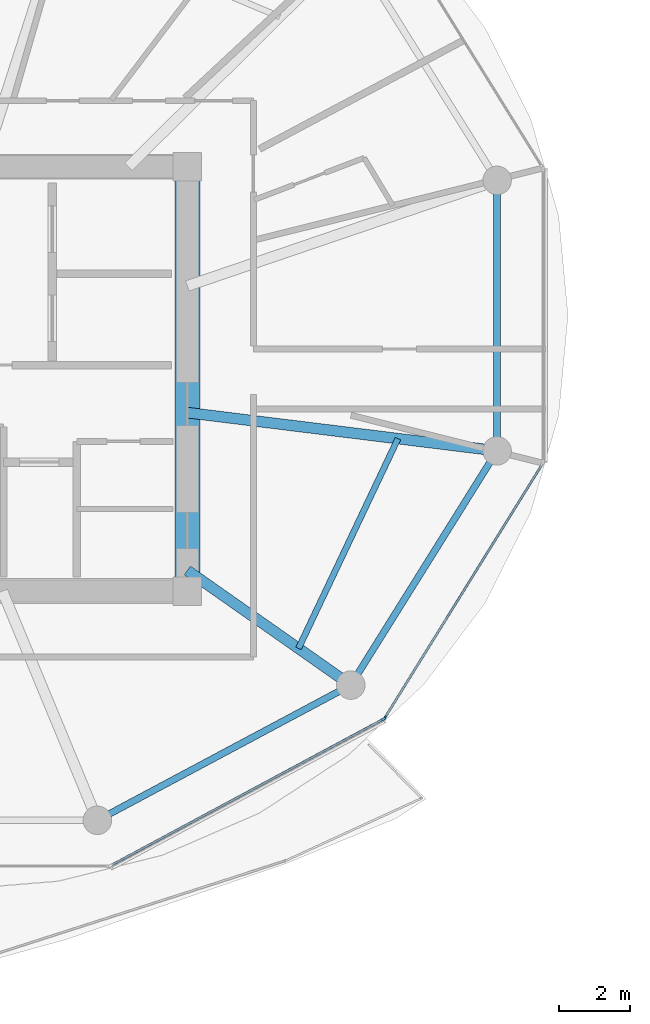
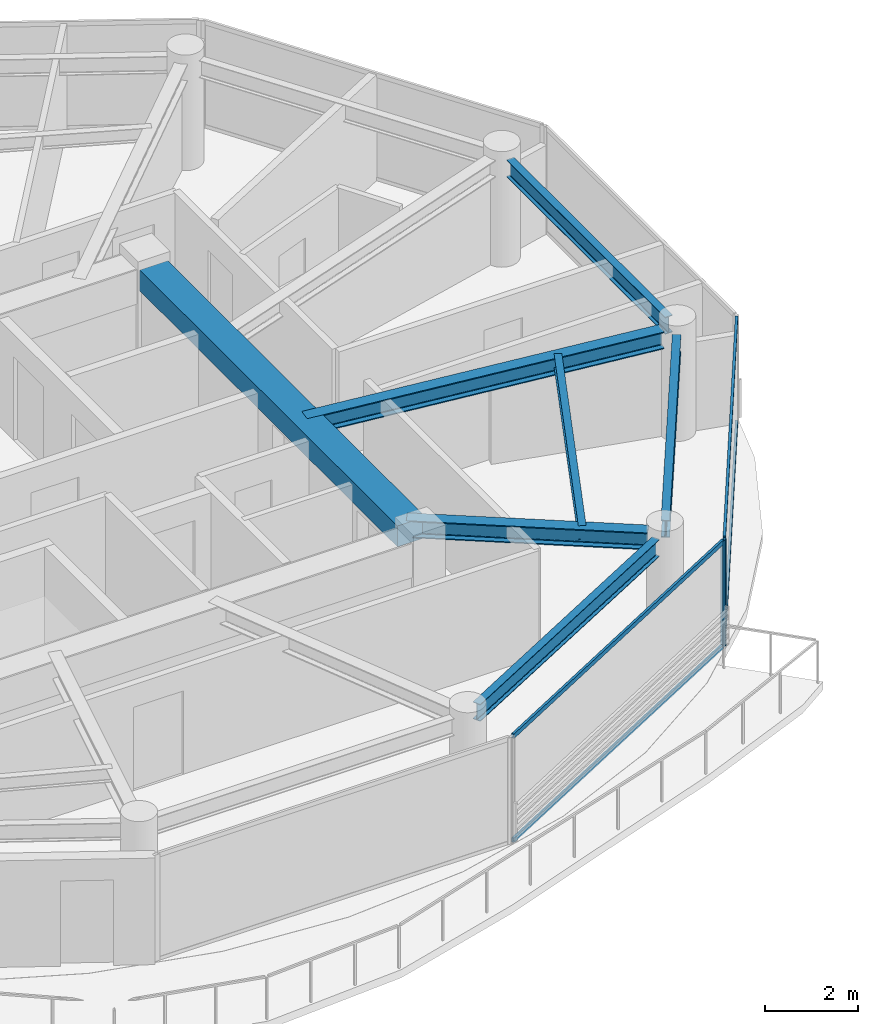
# One storey, part 3 of 22: 7 beams, 6 members, 2 elements without a shape of their own.
"""IFC4 building model written with IfcOpenShell, lengths in metres."""

from ifc_helpers import new_model, si_unit, direction, frame, origin, origin_2d, place, context, subcontext, project, spatial, rectangle, i_section, extrude, source, transform, mapped, material, layer, layer_set, material_profile, profile_set, type_object, type_shapes, element, aggregate, save


model = new_model("IFC4")

# Units and contexts
model_context = context("Model", 3, precision=1e-05, world=origin(), true_north=direction((0.0, 1.0)))
body_context = subcontext(model_context, "Body", "Model", "MODEL_VIEW")
ifc_project = project(units=[si_unit("LENGTHUNIT", "METRE"), si_unit("AREAUNIT", "SQUARE_METRE"), si_unit("VOLUMEUNIT", "CUBIC_METRE"), si_unit("PLANEANGLEUNIT", "RADIAN"), si_unit("MASSUNIT", "GRAM", prefix="KILO")], contexts=[model_context])

# Site, building, storey
site_placement = place(None, origin())
site = spatial("IfcSite", under=ifc_project, at=site_placement, CompositionType="ELEMENT")
building_placement = place(site_placement, origin())
building = spatial("IfcBuilding", under=site, at=building_placement, Name="Norrkilde Senior Care Towers", CompositionType="ELEMENT")
storey_placement = place(building_placement, frame((0.0, 0.0, 170.89990234375)))
storey = spatial("IfcBuildingStorey", under=building, at=storey_placement, Name="L53", CompositionType="ELEMENT", Elevation=170.89990234375)

# Beams
ifc_material_1 = material(Name="Concrete C60/75", Category="concrete")
ifc_material_profile_1 = material_profile(ifc_material_1, rectangle(XDim=0.699951171875, YDim=0.550048828125, at=origin_2d()), Name="RC BM 700x550")
ifc_profile_set_1 = profile_set([ifc_material_profile_1], Name="Concrete C60/75")
beam_type_1 = type_object("IfcBeamType", Name="Core Portal Coupling Beam 700x550", PredefinedType="USERDEFINED", material=ifc_profile_set_1)
shared_shape_1 = source(origin(), body_context, "Body", "SweptSolid", [
    extrude(rectangle(XDim=0.699951171875, YDim=0.550048828125, at=origin_2d()), origin(), (0.0, 0.0, 1.0), 11.14013671875),
])
type_shapes(beam_type_1, [shared_shape_1])
beam_1_placement = place(storey_placement, frame((-20.35009765625, -5.570068359375, 2.53515625), z_axis=(0.0, 1.0, 0.0), x_axis=(-1.0, 0.0, 0.0)))
element("IfcBeam", 1, at=beam_1_placement, inside=storey, type_object=beam_type_1, Name="L53 Core W E Coupling Girder", ObjectType="GIRDER", PredefinedType="USERDEFINED", context=body_context, shape_type="MappedRepresentation", body=[
    mapped(shared_shape_1, transform((0.0, 0.0, 0.0), x_axis=(1.0, 0.0, 0.0), y_axis=(0.0, 1.0, 0.0), z_axis=(0.0, 0.0, 1.0), scale=1.0)),
])
ifc_material_2 = material(Name="Steel S355", Category="steel")
ifc_material_profile_2 = material_profile(ifc_material_2, i_section(OverallWidth=0.18994140625, OverallDepth=0.449951171875, WebThickness=0.009521484375, FlangeThickness=0.0146484375, FilletRadius=0.02099609375, at=origin_2d()), Name="IPE 450")
ifc_profile_set_2 = profile_set([ifc_material_profile_2], Name="Steel S355")
beam_type_2 = type_object("IfcBeamType", Name="Perimeter Ring Spandrel Z3 IPE450", PredefinedType="SPANDREL", material=ifc_profile_set_2)
shared_shape_2 = source(origin(), body_context, "Body", "SweptSolid", [
    extrude(i_section(OverallWidth=0.18994140625, OverallDepth=0.449951171875, WebThickness=0.009521484375, FlangeThickness=0.0146484375, FilletRadius=0.02099609375, at=origin_2d()), origin(), (0.0, 0.0, 1.0), 6.86328125),
])
beam_2_placement = place(storey_placement, frame((-11.6650390625, -1.65625, 2.585205078125), z_axis=(0.0, 1.0, 0.0), x_axis=(-1.0, 0.0, 0.0)))
element("IfcBeam", 2, at=beam_2_placement, inside=storey, type_object=beam_type_2, Name="L53 Drum W Perimeter Spandrel 12", PredefinedType="SPANDREL", context=body_context, shape_type="MappedRepresentation", body=[
    mapped(shared_shape_2, transform((0.0, 0.0, 0.0), x_axis=(1.0, 0.0, 0.0), y_axis=(0.0, 1.0, 0.0), z_axis=(0.0, 0.0, 1.0), scale=1.0)),
])
shared_shape_3 = source(origin(), body_context, "Body", "SweptSolid", [
    extrude(i_section(OverallWidth=0.18994140625, OverallDepth=0.449951171875, WebThickness=0.009521484375, FlangeThickness=0.0146484375, FilletRadius=0.02099609375, at=origin_2d()), origin(), (0.0, 0.0, 1.0), 7.023193359375),
])
beam_3_placement = place(storey_placement, frame((-15.57666015625, -8.2783203125, 2.585205078125), z_axis=(0.529805197269, 0.848119362441, 0.0), x_axis=(-0.848119362441, 0.529805197269, 0.0)))
element("IfcBeam", 3, at=beam_3_placement, inside=storey, type_object=beam_type_2, Name="L53 Drum W Perimeter Spandrel 11", PredefinedType="SPANDREL", context=body_context, shape_type="MappedRepresentation", body=[
    mapped(shared_shape_3, transform((0.0, 0.0, 0.0), x_axis=(1.0, 0.0, 0.0), y_axis=(0.0, 1.0, 0.0), z_axis=(0.0, 0.0, 1.0), scale=1.0)),
])
shared_shape_4 = source(origin(), body_context, "Body", "SweptSolid", [
    extrude(i_section(OverallWidth=0.18994140625, OverallDepth=0.449951171875, WebThickness=0.009521484375, FlangeThickness=0.0146484375, FilletRadius=0.02099609375, at=origin_2d()), origin(), (0.0, 0.0, 1.0), 7.333984375),
])
type_shapes(beam_type_2, [shared_shape_2, shared_shape_3, shared_shape_4])
beam_4_placement = place(storey_placement, frame((-22.55517578125, -12.2060546875, 2.585205078125), z_axis=(0.882234038987, 0.470811109101, 0.0), x_axis=(-0.470811109101, 0.882234038987, 0.0)))
element("IfcBeam", 4, at=beam_4_placement, inside=storey, type_object=beam_type_2, Name="L53 Drum W Perimeter Spandrel 10", PredefinedType="SPANDREL", context=body_context, shape_type="MappedRepresentation", body=[
    mapped(shared_shape_4, transform((0.0, 0.0, 0.0), x_axis=(1.0, 0.0, 0.0), y_axis=(0.0, 1.0, 0.0), z_axis=(0.0, 0.0, 1.0), scale=1.0)),
])
ifc_material_profile_3 = material_profile(ifc_material_2, i_section(OverallWidth=0.300048828125, OverallDepth=0.449951171875, WebThickness=0.013916015625, FlangeThickness=0.02587890625, FilletRadius=0.027099609375, at=origin_2d()), Name="HEB 450")
ifc_profile_set_3 = profile_set([ifc_material_profile_3], Name="Steel S355")
beam_type_3 = type_object("IfcBeamType", Name="Radial Floor Beam Z3 HEB450", PredefinedType="BEAM", material=ifc_profile_set_3)
shared_shape_5 = source(origin(), body_context, "Body", "SweptSolid", [
    extrude(i_section(OverallWidth=0.300048828125, OverallDepth=0.449951171875, WebThickness=0.013916015625, FlangeThickness=0.02587890625, FilletRadius=0.027099609375, at=origin_2d()), origin(), (0.0, 0.0, 1.0), 5.23828125),
])
beam_5_placement = place(storey_placement, frame((-20.35009765625, -5.3681640625, 2.585205078125), z_axis=(0.818592061291, -0.574375345215, 0.0), x_axis=(0.574375345215, 0.818592061291, 0.0)))
element("IfcBeam", 5, at=beam_5_placement, inside=storey, type_object=beam_type_3, Name="L53 Drum W Radial Floor Beam 11", PredefinedType="BEAM", context=body_context, shape_type="MappedRepresentation", body=[
    mapped(shared_shape_5, transform((0.0, 0.0, 0.0), x_axis=(1.0, 0.0, 0.0), y_axis=(0.0, 1.0, 0.0), z_axis=(0.0, 0.0, 1.0), scale=1.0)),
])
shared_shape_6 = source(origin(), body_context, "Body", "SweptSolid", [
    extrude(i_section(OverallWidth=0.300048828125, OverallDepth=0.449951171875, WebThickness=0.013916015625, FlangeThickness=0.02587890625, FilletRadius=0.027099609375, at=origin_2d()), origin(), (0.0, 0.0, 1.0), 8.390869140625),
])
type_shapes(beam_type_3, [shared_shape_5, shared_shape_6])
beam_6_placement = place(storey_placement, frame((-20.35009765625, -0.9443359375, 2.585205078125), z_axis=(0.99246916403, -0.122494728249, 0.0), x_axis=(0.122494728249, 0.99246916403, 0.0)))
element("IfcBeam", 6, at=beam_6_placement, inside=storey, type_object=beam_type_3, Name="L53 Drum W Radial Floor Beam 12", PredefinedType="BEAM", context=body_context, shape_type="MappedRepresentation", body=[
    mapped(shared_shape_6, transform((0.0, 0.0, 0.0), x_axis=(1.0, 0.0, 0.0), y_axis=(0.0, 1.0, 0.0), z_axis=(0.0, 0.0, 1.0), scale=1.0)),
])
ifc_material_profile_4 = material_profile(ifc_material_2, i_section(OverallWidth=0.169921875, OverallDepth=0.360107421875, WebThickness=0.008056640625, FlangeThickness=0.0126953125, FilletRadius=0.01806640625, at=origin_2d()), Name="IPE 360")
ifc_profile_set_4 = profile_set([ifc_material_profile_4], Name="Steel S355")
beam_type_4 = type_object("IfcBeamType", Name="Secondary Floor Joist IPE360", PredefinedType="JOIST", material=ifc_profile_set_4)
shared_shape_7 = source(origin(), body_context, "Body", "SweptSolid", [
    extrude(i_section(OverallWidth=0.169921875, OverallDepth=0.360107421875, WebThickness=0.008056640625, FlangeThickness=0.0126953125, FilletRadius=0.01806640625, at=origin_2d()), origin(), (0.0, 0.0, 1.0), 6.50927734375),
])
type_shapes(beam_type_4, [shared_shape_7])
beam_7_placement = place(storey_placement, frame((-17.23388671875, -7.5546875, 2.630126953125), z_axis=(0.428544169129, 0.90352083269, 0.0), x_axis=(-0.90352083269, 0.428544169129, 0.0)))
element("IfcBeam", 7, at=beam_7_placement, inside=storey, type_object=beam_type_4, Name="L53 Drum W Secondary Floor Joist 4", PredefinedType="JOIST", context=body_context, shape_type="MappedRepresentation", body=[
    mapped(shared_shape_7, transform((0.0, 0.0, 0.0), x_axis=(1.0, 0.0, 0.0), y_axis=(0.0, 1.0, 0.0), z_axis=(0.0, 0.0, 1.0), scale=1.0)),
])

# Curtain wall, member
ifc_material_3 = material(Name="Triple Low-E Insulated Glazing", Category="glass")
ifc_layer = layer(ifc_material_3, 0.18994140625)
ifc_layer_set = layer_set([ifc_layer], Name="Triple Low-E Insulated Glazing")
curtain_wall_type = type_object("IfcCurtainWallType", Name="CW4 Zone 3 Senior Residence Curtain Wall", PredefinedType="NOTDEFINED", material=ifc_layer_set)
curtain_wall_1_placement = place(storey_placement, origin())
curtain_wall_1 = element("IfcCurtainWall", 8, at=curtain_wall_1_placement, inside=storey, type_object=curtain_wall_type, Name="L53 Drum W Curtain Wall 09", PredefinedType="NOTDEFINED")
ifc_material_4 = material(Name="Anodised Aluminium", Category="aluminium")
ifc_material_profile_5 = material_profile(ifc_material_4, rectangle(XDim=0.06494140625, YDim=0.14990234375, at=origin_2d()), Name="ALU MULL 65x150")
ifc_profile_set_5 = profile_set([ifc_material_profile_5], Name="Anodised Aluminium")
member_type_1 = type_object("IfcMemberType", Name="Curtain Wall Mullion Z3-Z4 65x150", PredefinedType="MULLION", material=ifc_profile_set_5)
shared_shape_8 = source(origin(), body_context, "Body", "SweptSolid", [
    extrude(rectangle(XDim=0.06494140625, YDim=0.14990234375, at=origin_2d()), origin(), (0.0, 0.0, 1.0), 2.81005859375),
])
type_shapes(member_type_1, [shared_shape_8])
member_1_placement = place(storey_placement, frame((-14.85546875, -9.53955078125, 0.0), z_axis=(0.0, 0.0, 1.0), x_axis=(0.47311715104, -0.880999524059, 0.0)))
member_1 = element("IfcMember", 9, at=member_1_placement, type_object=member_type_1, Name="CW-4 mullion 1", PredefinedType="MULLION", context=body_context, shape_type="MappedRepresentation", body=[
    mapped(shared_shape_8, transform((0.0, 0.0, 0.0), x_axis=(1.0, 0.0, 0.0), y_axis=(0.0, 1.0, 0.0), z_axis=(0.0, 0.0, 1.0), scale=1.0)),
])

# Curtain wall, members
curtain_wall_2_placement = place(storey_placement, origin())
curtain_wall_2 = element("IfcCurtainWall", 10, at=curtain_wall_2_placement, inside=storey, type_object=curtain_wall_type, Name="L53 Drum W Curtain Wall 10", PredefinedType="NOTDEFINED")
member_2_placement = place(storey_placement, frame((-14.809814453125, -9.49658203125, 0.0), z_axis=(0.0, 0.0, 1.0), x_axis=(0.84963405474, -0.52737270789, 0.0)))
member_2 = element("IfcMember", 11, at=member_2_placement, type_object=member_type_1, Name="CW-4 mullion 2", PredefinedType="MULLION", context=body_context, shape_type="MappedRepresentation", body=[
    mapped(shared_shape_8, transform((0.0, 0.0, 0.0), x_axis=(1.0, 0.0, 0.0), y_axis=(0.0, 1.0, 0.0), z_axis=(0.0, 0.0, 1.0), scale=1.0)),
])
ifc_material_profile_6 = material_profile(ifc_material_4, rectangle(XDim=0.06005859375, YDim=0.1201171875, at=origin_2d()), Name="ALU TRAN 60x120")
ifc_profile_set_6 = profile_set([ifc_material_profile_6], Name="Anodised Aluminium")
member_type_2 = type_object("IfcMemberType", Name="Curtain Wall Transom Typical 60x120", PredefinedType="USERDEFINED", material=ifc_profile_set_6)
shared_shape_9 = source(origin(), body_context, "Body", "SweptSolid", [
    extrude(rectangle(XDim=0.06005859375, YDim=0.1201171875, at=origin_2d()), origin(), (0.0, 0.0, 1.0), 8.301513671875),
])
member_3_placement = place(storey_placement, frame((-10.414794921875, -2.415771484375, 0.030029296875), z_axis=(-0.527368718394, -0.849636531029, 0.0), x_axis=(0.849636531029, -0.527368718394, 0.0)))
member_3 = element("IfcMember", 12, at=member_3_placement, type_object=member_type_2, Name="CW-4 transom 1.1", ObjectType="TRANSOM", PredefinedType="USERDEFINED", context=body_context, shape_type="MappedRepresentation", body=[
    mapped(shared_shape_9, transform((0.0, 0.0, 0.0), x_axis=(1.0, 0.0, 0.0), y_axis=(0.0, 1.0, 0.0), z_axis=(0.0, 0.0, 1.0), scale=1.0)),
])
member_4_placement = place(storey_placement, frame((-10.414794921875, -2.415771484375, 2.780029296875), z_axis=(-0.527368718394, -0.849636531029, 0.0), x_axis=(0.849636531029, -0.527368718394, 0.0)))
member_4 = element("IfcMember", 13, at=member_4_placement, type_object=member_type_2, Name="CW-4 transom 1.2", ObjectType="TRANSOM", PredefinedType="USERDEFINED", context=body_context, shape_type="MappedRepresentation", body=[
    mapped(shared_shape_9, transform((0.0, 0.0, 0.0), x_axis=(1.0, 0.0, 0.0), y_axis=(0.0, 1.0, 0.0), z_axis=(0.0, 0.0, 1.0), scale=1.0)),
])
aggregate(curtain_wall_2, [member_2, member_3, member_4])

# Member
shared_shape_10 = source(origin(), body_context, "Body", "SweptSolid", [
    extrude(rectangle(XDim=0.06005859375, YDim=0.1201171875, at=origin_2d()), origin(), (0.0, 0.0, 1.0), 8.61181640625),
])
type_shapes(member_type_2, [shared_shape_9, shared_shape_10])
member_5_placement = place(storey_placement, frame((-14.88427734375, -9.554931640625, 0.030029296875), z_axis=(-0.880993991641, -0.473127452906, 0.0), x_axis=(0.473127452906, -0.880993991641, 0.0)))
member_5 = element("IfcMember", 14, at=member_5_placement, type_object=member_type_2, Name="CW-4 transom 1.1", ObjectType="TRANSOM", PredefinedType="USERDEFINED", context=body_context, shape_type="MappedRepresentation", body=[
    mapped(shared_shape_10, transform((0.0, 0.0, 0.0), x_axis=(1.0, 0.0, 0.0), y_axis=(0.0, 1.0, 0.0), z_axis=(0.0, 0.0, 1.0), scale=1.0)),
])

member_6_placement = place(storey_placement, frame((-14.88427734375, -9.554931640625, 2.780029296875), z_axis=(-0.880993991641, -0.473127452906, 0.0), x_axis=(0.473127452906, -0.880993991641, 0.0)))
member_6 = element("IfcMember", 15, at=member_6_placement, type_object=member_type_2, Name="CW-4 transom 1.2", ObjectType="TRANSOM", PredefinedType="USERDEFINED", context=body_context, shape_type="MappedRepresentation", body=[
    mapped(shared_shape_10, transform((0.0, 0.0, 0.0), x_axis=(1.0, 0.0, 0.0), y_axis=(0.0, 1.0, 0.0), z_axis=(0.0, 0.0, 1.0), scale=1.0)),
])

aggregate(curtain_wall_1, [member_1, member_5, member_6])

save(model, "model.ifc")
